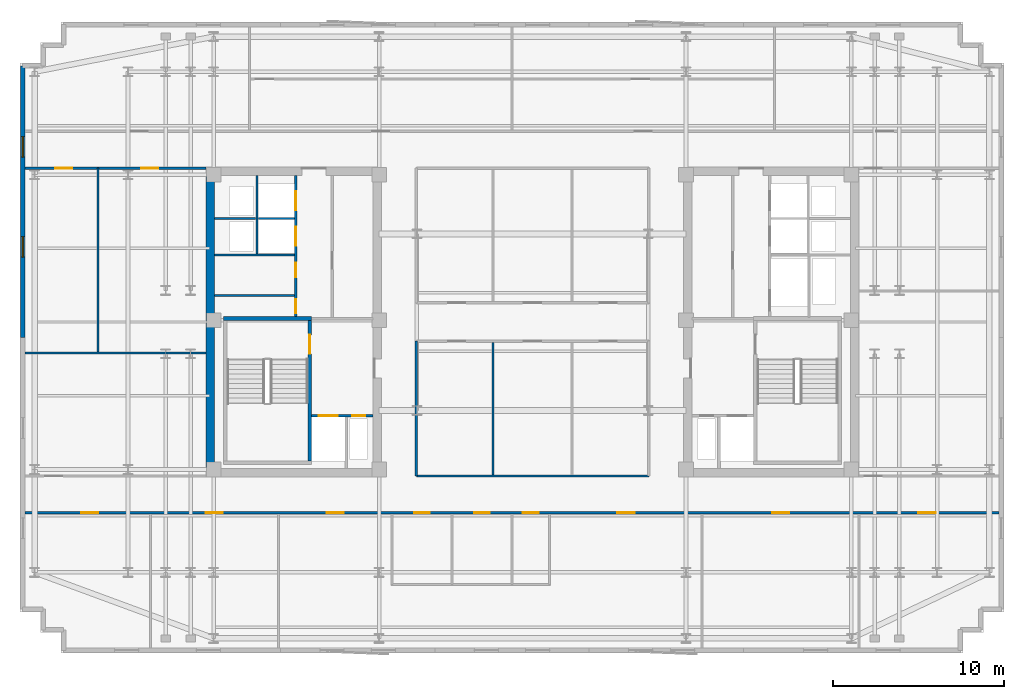
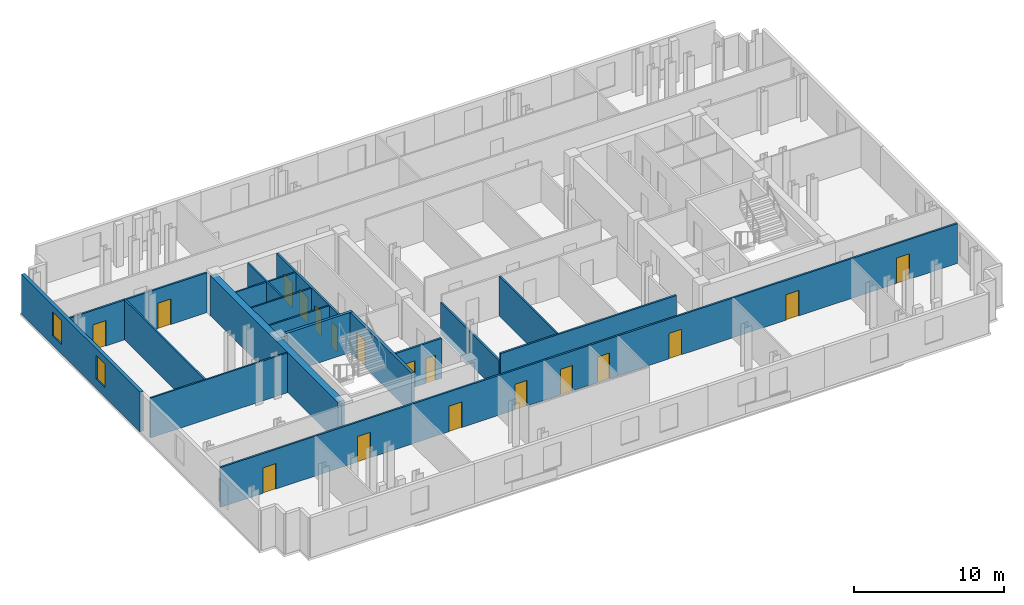
# One storey, part 4 of 9: 18 doors, 18 walls, 2 windows, 20 openings.
"""IFC4 building model written with IfcOpenShell, lengths in metres."""

from ifc_helpers import new_model, si_unit, direction, frame, frame_2d, origin, place, context, subcontext, project, spatial, rectangle, extrude, material, layer, layer_set, type_object, element, fill, save


model = new_model("IFC4")

# Units and contexts
model_context = context("Model", 3, precision=1e-05, world=origin(), true_north=direction((0.0, 1.0)))
body_context = subcontext(model_context, "Body", "Model", "MODEL_VIEW")
ifc_project = project(units=[si_unit("LENGTHUNIT", "METRE"), si_unit("AREAUNIT", "SQUARE_METRE"), si_unit("VOLUMEUNIT", "CUBIC_METRE"), si_unit("PLANEANGLEUNIT", "RADIAN"), si_unit("MASSUNIT", "GRAM", prefix="KILO")], contexts=[model_context])

# Site, building, storey
site_placement = place(None, origin())
site = spatial("IfcSite", under=ifc_project, at=site_placement, CompositionType="ELEMENT")
building_placement = place(site_placement, origin())
building = spatial("IfcBuilding", under=site, at=building_placement, Name="Velakula Bourse", CompositionType="ELEMENT")
storey_placement = place(building_placement, frame((0.0, 0.0, 232.64990234375)))
storey = spatial("IfcBuildingStorey", under=building, at=storey_placement, Name="L63", CompositionType="ELEMENT", Elevation=232.64990234375)

# Wall, opening, door
ifc_material_1 = material(Name="Concrete M50 (fck 50 MPa)", Category="concrete")
ifc_layer_1 = layer(ifc_material_1, 0.2099609375, Name="Concrete M50 (fck 50 MPa)", Category="concrete")
ifc_layer_set_1 = layer_set([ifc_layer_1], Name="Concrete M50 (fck 50 MPa)")
wall_type_1 = type_object("IfcWallType", Name="WL-CORE-210", PredefinedType="SHEAR", material=ifc_layer_set_1)
wall_1_placement = place(storey_placement, frame((-12.9951171875, -8.10009765625, 0.0), z_axis=(0.0, 0.0, 1.0), x_axis=(0.0, 1.0, 0.0)))
wall_1 = element("IfcWall", 1, at=wall_1_placement, inside=storey, type_object=wall_type_1, Name="L63 Core W Stairwell Shear Wall IN", PredefinedType="SHEAR", context=body_context, shape_type="SweptSolid", body=[
    extrude(rectangle(XDim=8.2001953125, YDim=0.2099609375, at=frame_2d((4.10009765625, 0.0))), origin(), (0.0, 0.0, 1.0), 3.27001953125),
])
opening_1_placement = place(wall_1_placement, frame((6.25, 0.0, 0.0)))
opening_1 = element("IfcOpeningElement", 2, at=opening_1_placement, cuts=wall_1, Name="Opening D-STW1", PredefinedType="OPENING", context=body_context, shape_type="SweptSolid", body=[
    extrude(rectangle(XDim=1.10009765625, YDim=2.14990234375, at=frame_2d((0.550048828125, 1.074951171875))), frame((0.0, 0.114990234375, 0.0), z_axis=(0.0, -1.0, 0.0), x_axis=(1.0, 0.0, 0.0)), (0.0, 0.0, 1.0), 0.22998046875),
])
ifc_material_2 = material(Name="Galvanised painted hollow steel fire door", Category="steel")
door_type_1 = type_object("IfcDoorType", Name="DR-FD120-1100x2150", OperationType="NOTDEFINED", PredefinedType="DOOR", material=ifc_material_2)
door_1_placement = place(opening_1_placement, origin())
door_1 = element("IfcDoor", 3, at=door_1_placement, inside=storey, type_object=door_type_1, Name="L63 Stair ST-W1 Fire Door", OperationType="SINGLE_SWING_LEFT", OverallHeight=2.14990234375, OverallWidth=1.10009765625, PredefinedType="DOOR", context=body_context, shape_type="SweptSolid", body=[
    extrude(rectangle(XDim=1.10009765625, YDim=2.14990234375, at=frame_2d((0.550048828125, 1.074951171875))), frame((0.0, 0.02490234375, 0.0), z_axis=(0.0, -1.0, 0.0), x_axis=(1.0, 0.0, 0.0)), (0.0, 0.0, 1.0), 0.050048828125),
])
fill(opening_1, door_1)

# Walls
wall_2_placement = place(storey_placement, frame((-12.889892578125, 0.205078125, 0.0), z_axis=(0.0, 0.0, 1.0), x_axis=(-1.0, 0.0, 0.0)))
element("IfcWall", 4, at=wall_2_placement, inside=storey, type_object=wall_type_1, Name="L63 Core W Stairwell Shear Wall N", PredefinedType="SHEAR", context=body_context, shape_type="SweptSolid", body=[
    extrude(rectangle(XDim=5.14013671875, YDim=0.2099609375, at=frame_2d((2.570068359375, 0.0))), origin(), (0.0, 0.0, 1.0), 3.27001953125),
])
ifc_layer_2 = layer(ifc_material_1, 0.5, Name="Concrete M50 (fck 50 MPa)", Category="concrete")
ifc_layer_set_2 = layer_set([ifc_layer_2], Name="Concrete M50 (fck 50 MPa)")
wall_type_2 = type_object("IfcWallType", Name="WL-CORE-500", PredefinedType="SHEAR", material=ifc_layer_set_2)
wall_3_placement = place(storey_placement, frame((-18.800048828125, -8.550048828125, 0.0), z_axis=(0.0, 0.0, 1.0), x_axis=(0.0, 1.0, 0.0)))
element("IfcWall", 5, at=wall_3_placement, inside=storey, type_object=wall_type_2, Name="L63 Core W Shear Wall W", PredefinedType="SHEAR", context=body_context, shape_type="SweptSolid", body=[
    extrude(rectangle(XDim=17.10009765625, YDim=0.5, at=frame_2d((8.550048828125, 0.0))), origin(), (0.0, 0.0, 1.0), 3.27001953125),
])

# Wall, openings, windows
ifc_material_3 = material(Name="Buff kilned clay facing brick masonry", Category="masonry")
ifc_layer_3 = layer(ifc_material_3, 0.260009765625, Name="Buff kilned clay facing brick masonry", Category="masonry")
ifc_layer_set_3 = layer_set([ifc_layer_3], Name="Buff kilned clay facing brick masonry")
wall_type_3 = type_object("IfcWallType", Name="WL-EXT-BRK-260", PredefinedType="STANDARD", material=ifc_layer_set_3)
wall_4_placement = place(storey_placement, frame((-29.75, -0.89990234375, 0.0), z_axis=(0.0, 0.0, 1.0), x_axis=(0.0, 1.0, 0.0)))
wall_4 = element("IfcWall", 6, at=wall_4_placement, inside=storey, type_object=wall_type_3, Name="L63 W Brick End Wall W2", PredefinedType="STANDARD", context=body_context, shape_type="SweptSolid", body=[
    extrude(rectangle(XDim=15.849853515625, YDim=0.260009765625, at=frame_2d((7.9248046875, 0.0))), origin(), (0.0, 0.0, 1.0), 3.25),
])
opening_2_placement = place(wall_4_placement, frame((4.683349609375, 0.0, 0.760009765625)))
opening_2 = element("IfcOpeningElement", 7, at=opening_2_placement, cuts=wall_4, Name="Opening W-04", PredefinedType="OPENING", context=body_context, shape_type="SweptSolid", body=[
    extrude(rectangle(XDim=1.199951171875, YDim=1.949951171875, at=frame_2d((0.60009765625, 0.97509765625))), frame((0.0, 0.139892578125, 0.0), z_axis=(0.0, -1.0, 0.0), x_axis=(1.0, 0.0, 0.0)), (0.0, 0.0, 1.0), 0.280029296875),
])
opening_3_placement = place(wall_4_placement, frame((10.5166015625, 0.0, 0.760009765625)))
opening_3 = element("IfcOpeningElement", 8, at=opening_3_placement, cuts=wall_4, Name="Opening W-04", PredefinedType="OPENING", context=body_context, shape_type="SweptSolid", body=[
    extrude(rectangle(XDim=1.199951171875, YDim=1.949951171875, at=frame_2d((0.60009765625, 0.97509765625))), frame((0.0, 0.139892578125, 0.0), z_axis=(0.0, -1.0, 0.0), x_axis=(1.0, 0.0, 0.0)), (0.0, 0.0, 1.0), 0.280029296875),
])
ifc_material_4 = material(Name="Double-glazed solar-control Low-E glass", Category="glass")
window_type = type_object("IfcWindowType", Name="WIN-TWR-1200x2100", PartitioningType="SINGLE_PANEL", PredefinedType="WINDOW", material=ifc_material_4)
window_1_placement = place(opening_2_placement, origin())
window_1 = element("IfcWindow", 9, at=window_1_placement, inside=storey, type_object=window_type, Name="L63 Deep-Set Recessed Window 1", OverallHeight=1.949951171875, OverallWidth=1.199951171875, PartitioningType="SINGLE_PANEL", PredefinedType="WINDOW", context=body_context, shape_type="SweptSolid", body=[
    extrude(rectangle(XDim=1.199951171875, YDim=1.949951171875, at=frame_2d((0.60009765625, 0.97509765625))), frame((0.0, 0.030029296875, 0.0), z_axis=(0.0, -1.0, 0.0), x_axis=(1.0, 0.0, 0.0)), (0.0, 0.0, 1.0), 0.06005859375),
])
fill(opening_2, window_1)
window_2_placement = place(opening_3_placement, origin())
window_2 = element("IfcWindow", 10, at=window_2_placement, inside=storey, type_object=window_type, Name="L63 Deep-Set Recessed Window 2", OverallHeight=1.949951171875, OverallWidth=1.199951171875, PartitioningType="SINGLE_PANEL", PredefinedType="WINDOW", context=body_context, shape_type="SweptSolid", body=[
    extrude(rectangle(XDim=1.199951171875, YDim=1.949951171875, at=frame_2d((0.60009765625, 0.97509765625))), frame((0.0, 0.030029296875, 0.0), z_axis=(0.0, -1.0, 0.0), x_axis=(1.0, 0.0, 0.0)), (0.0, 0.0, 1.0), 0.06005859375),
])
fill(opening_3, window_2)

# Walls
ifc_material_5 = material(Name="Fire-rated double-layer gypsum drywall partition", Category="gypsum")
ifc_layer_4 = layer(ifc_material_5, 0.1201171875, Name="Fire-rated double-layer gypsum drywall partition", Category="gypsum")
ifc_layer_set_4 = layer_set([ifc_layer_4], Name="Fire-rated double-layer gypsum drywall partition")
wall_type_4 = type_object("IfcWallType", Name="WL-PART-120", PredefinedType="STANDARD", material=ifc_layer_set_4)
wall_5_placement = place(storey_placement, frame((-18.550048828125, 3.919921875, 0.0), z_axis=(0.0, 0.0, 1.0), x_axis=(1.0, 0.0, 0.0)))
element("IfcWall", 11, at=wall_5_placement, inside=storey, type_object=wall_type_4, Name="L63 Interior Partition WL-CRW-L63-HI-S", PredefinedType="STANDARD", context=body_context, shape_type="SweptSolid", body=[
    extrude(rectangle(XDim=4.650146484375, YDim=0.1201171875, at=frame_2d((2.3251953125, 0.0))), origin(), (0.0, 0.0, 1.0), 3.25),
])
wall_6_placement = place(storey_placement, frame((-18.550048828125, 6.030029296875, 0.0), z_axis=(0.0, 0.0, 1.0), x_axis=(1.0, 0.0, 0.0)))
element("IfcWall", 12, at=wall_6_placement, inside=storey, type_object=wall_type_4, Name="L63 Interior Partition WL-CRW-L63-RIS-MID", PredefinedType="STANDARD", context=body_context, shape_type="SweptSolid", body=[
    extrude(rectangle(XDim=2.400146484375, YDim=0.1201171875, at=frame_2d((1.2001953125, 0.0))), origin(), (0.0, 0.0, 1.0), 3.25),
])
wall_7_placement = place(storey_placement, frame((-16.074951171875, 3.97998046875, 0.0), z_axis=(0.0, 0.0, 1.0), x_axis=(0.0, 1.0, 0.0)))
element("IfcWall", 13, at=wall_7_placement, inside=storey, type_object=wall_type_4, Name="L63 Interior Partition WL-CRW-L63-RIS-F", PredefinedType="STANDARD", context=body_context, shape_type="SweptSolid", body=[
    extrude(rectangle(XDim=4.570068359375, YDim=0.1201171875, at=frame_2d((2.28515625, 0.0))), origin(), (0.0, 0.0, 1.0), 3.25),
])
wall_8_placement = place(storey_placement, frame((-16.0, 6.030029296875, 0.0), z_axis=(0.0, 0.0, 1.0), x_axis=(1.0, 0.0, 0.0)))
element("IfcWall", 14, at=wall_8_placement, inside=storey, type_object=wall_type_4, Name="L63 Interior Partition WL-CRW-L63-HI-DIV", PredefinedType="STANDARD", context=body_context, shape_type="SweptSolid", body=[
    extrude(rectangle(XDim=2.10009765625, YDim=0.1201171875, at=frame_2d((1.050048828125, 0.0))), origin(), (0.0, 0.0, 1.0), 3.25),
])
wall_9_placement = place(storey_placement, frame((-18.550048828125, 1.550048828125, 0.0), z_axis=(0.0, 0.0, 1.0), x_axis=(1.0, 0.0, 0.0)))
element("IfcWall", 15, at=wall_9_placement, inside=storey, type_object=wall_type_4, Name="L63 Interior Partition WL-CRW-L63-K1", PredefinedType="STANDARD", context=body_context, shape_type="SweptSolid", body=[
    extrude(rectangle(XDim=4.650146484375, YDim=0.1201171875, at=frame_2d((2.3251953125, 0.0))), origin(), (0.0, 0.0, 1.0), 3.25),
])
wall_10_placement = place(storey_placement, frame((-29.6201171875, -1.800048828125, 0.0), z_axis=(0.0, 0.0, 1.0), x_axis=(1.0, 0.0, 0.0)))
element("IfcWall", 16, at=wall_10_placement, inside=storey, type_object=wall_type_4, Name="L63 Interior Partition WL-INT-L63-W-H", PredefinedType="STANDARD", context=body_context, shape_type="SweptSolid", body=[
    extrude(rectangle(XDim=10.570068359375, YDim=0.1201171875, at=frame_2d((5.28515625, 0.0))), origin(), (0.0, 0.0, 1.0), 3.25),
])
wall_11_placement = place(storey_placement, frame((-25.35498046875, -1.739990234375, 0.0), z_axis=(0.0, 0.0, 1.0), x_axis=(0.0, 1.0, 0.0)))
element("IfcWall", 17, at=wall_11_placement, inside=storey, type_object=wall_type_4, Name="L63 Interior Partition WL-INT-L63-W-VN", PredefinedType="STANDARD", context=body_context, shape_type="SweptSolid", body=[
    extrude(rectangle(XDim=10.719970703125, YDim=0.1201171875, at=frame_2d((5.35986328125, 0.0))), origin(), (0.0, 0.0, 1.0), 3.25),
])

# Wall, openings, doors
ifc_layer_5 = layer(ifc_material_5, 0.139892578125, Name="Fire-rated double-layer gypsum drywall partition", Category="gypsum")
ifc_layer_set_5 = layer_set([ifc_layer_5], Name="Fire-rated double-layer gypsum drywall partition")
wall_type_5 = type_object("IfcWallType", Name="WL-PART-140", PredefinedType="STANDARD", material=ifc_layer_set_5)
wall_12_placement = place(storey_placement, frame((-29.6201171875, -11.1201171875, 0.0), z_axis=(0.0, 0.0, 1.0), x_axis=(1.0, 0.0, 0.0)))
wall_12 = element("IfcWall", 18, at=wall_12_placement, inside=storey, type_object=wall_type_5, Name="L63 Interior Partition WL-INT-L63-S-CORR", PredefinedType="STANDARD", context=body_context, shape_type="SweptSolid", body=[
    extrude(rectangle(XDim=56.840087890625, YDim=0.139892578125, at=frame_2d((28.419921875, 0.0))), origin(), (0.0, 0.0, 1.0), 3.25),
])
opening_4_placement = place(wall_12_placement, frame((22.7099609375, 0.0, 0.0)))
opening_4 = element("IfcOpeningElement", 19, at=opening_4_placement, cuts=wall_12, Name="Opening D-WT1", PredefinedType="OPENING", context=body_context, shape_type="SweptSolid", body=[
    extrude(rectangle(XDim=0.919921875, YDim=2.080078125, at=frame_2d((0.4599609375, 1.0400390625))), frame((0.0, 0.079833984375, 0.0), z_axis=(0.0, -1.0, 0.0), x_axis=(1.0, 0.0, 0.0)), (0.0, 0.0, 1.0), 0.159912109375),
])
opening_5_placement = place(wall_12_placement, frame((26.2099609375, 0.0, 0.0)))
opening_5 = element("IfcOpeningElement", 20, at=opening_5_placement, cuts=wall_12, Name="Opening D-WT1", PredefinedType="OPENING", context=body_context, shape_type="SweptSolid", body=[
    extrude(rectangle(XDim=0.919921875, YDim=2.080078125, at=frame_2d((0.4599609375, 1.0400390625))), frame((0.0, 0.079833984375, 0.0), z_axis=(0.0, -1.0, 0.0), x_axis=(1.0, 0.0, 0.0)), (0.0, 0.0, 1.0), 0.159912109375),
])
opening_6_placement = place(wall_12_placement, frame((29.06005859375, 0.0, 0.0)))
opening_6 = element("IfcOpeningElement", 21, at=opening_6_placement, cuts=wall_12, Name="Opening D-WC1", PredefinedType="OPENING", context=body_context, shape_type="SweptSolid", body=[
    extrude(rectangle(XDim=0.919921875, YDim=2.080078125, at=frame_2d((0.4599609375, 1.0400390625))), frame((0.0, 0.079833984375, 0.0), z_axis=(0.0, -1.0, 0.0), x_axis=(1.0, 0.0, 0.0)), (0.0, 0.0, 1.0), 0.159912109375),
])
opening_7_placement = place(wall_12_placement, frame((3.287109375, 0.0, 0.0)))
opening_7 = element("IfcOpeningElement", 22, at=opening_7_placement, cuts=wall_12, Name="Opening D-OF1", PredefinedType="OPENING", context=body_context, shape_type="SweptSolid", body=[
    extrude(rectangle(XDim=1.0, YDim=2.080078125, at=frame_2d((0.5, 1.0400390625))), frame((0.0, 0.079833984375, 0.0), z_axis=(0.0, -1.0, 0.0), x_axis=(1.0, 0.0, 0.0)), (0.0, 0.0, 1.0), 0.159912109375),
])
opening_8_placement = place(wall_12_placement, frame((10.56005859375, 0.0, 0.0)))
opening_8 = element("IfcOpeningElement", 23, at=opening_8_placement, cuts=wall_12, Name="Opening D-OF1", PredefinedType="OPENING", context=body_context, shape_type="SweptSolid", body=[
    extrude(rectangle(XDim=1.0, YDim=2.080078125, at=frame_2d((0.5, 1.0400390625))), frame((0.0, 0.079833984375, 0.0), z_axis=(0.0, -1.0, 0.0), x_axis=(1.0, 0.0, 0.0)), (0.0, 0.0, 1.0), 0.159912109375),
])
opening_9_placement = place(wall_12_placement, frame((17.60888671875, 0.0, 0.0)))
opening_9 = element("IfcOpeningElement", 24, at=opening_9_placement, cuts=wall_12, Name="Opening D-OF1", PredefinedType="OPENING", context=body_context, shape_type="SweptSolid", body=[
    extrude(rectangle(XDim=1.0, YDim=2.080078125, at=frame_2d((0.5, 1.0400390625))), frame((0.0, 0.079833984375, 0.0), z_axis=(0.0, -1.0, 0.0), x_axis=(1.0, 0.0, 0.0)), (0.0, 0.0, 1.0), 0.159912109375),
])
opening_10_placement = place(wall_12_placement, frame((34.56689453125, 0.0, 0.0)))
opening_10 = element("IfcOpeningElement", 25, at=opening_10_placement, cuts=wall_12, Name="Opening D-OF1", PredefinedType="OPENING", context=body_context, shape_type="SweptSolid", body=[
    extrude(rectangle(XDim=1.0, YDim=2.080078125, at=frame_2d((0.5, 1.0400390625))), frame((0.0, 0.079833984375, 0.0), z_axis=(0.0, -1.0, 0.0), x_axis=(1.0, 0.0, 0.0)), (0.0, 0.0, 1.0), 0.159912109375),
])
opening_11_placement = place(wall_12_placement, frame((43.592041015625, 0.0, 0.0)))
opening_11 = element("IfcOpeningElement", 26, at=opening_11_placement, cuts=wall_12, Name="Opening D-OF1", PredefinedType="OPENING", context=body_context, shape_type="SweptSolid", body=[
    extrude(rectangle(XDim=1.0, YDim=2.080078125, at=frame_2d((0.5, 1.0400390625))), frame((0.0, 0.079833984375, 0.0), z_axis=(0.0, -1.0, 0.0), x_axis=(1.0, 0.0, 0.0)), (0.0, 0.0, 1.0), 0.159912109375),
])
opening_12_placement = place(wall_12_placement, frame((52.12890625, 0.0, 0.0)))
opening_12 = element("IfcOpeningElement", 27, at=opening_12_placement, cuts=wall_12, Name="Opening D-OF1", PredefinedType="OPENING", context=body_context, shape_type="SweptSolid", body=[
    extrude(rectangle(XDim=1.0, YDim=2.080078125, at=frame_2d((0.5, 1.0400390625))), frame((0.0, 0.079833984375, 0.0), z_axis=(0.0, -1.0, 0.0), x_axis=(1.0, 0.0, 0.0)), (0.0, 0.0, 1.0), 0.159912109375),
])
ifc_material_6 = material(Name="Fire-rated hardwood flush architectural door", Category="wood")
door_type_2 = type_object("IfcDoorType", Name="DR-OFF-1000", OperationType="NOTDEFINED", PredefinedType="DOOR", material=ifc_material_6)
door_2_placement = place(opening_7_placement, origin())
door_2 = element("IfcDoor", 28, at=door_2_placement, inside=storey, type_object=door_type_2, Name="L63 Quiet Financial Library Door", OperationType="SINGLE_SWING_RIGHT", OverallHeight=2.080078125, OverallWidth=1.0, PredefinedType="DOOR", context=body_context, shape_type="SweptSolid", body=[
    extrude(rectangle(XDim=1.0, YDim=2.080078125, at=frame_2d((0.5, 1.0400390625))), frame((0.0, 0.02490234375, 0.0), z_axis=(0.0, -1.0, 0.0), x_axis=(1.0, 0.0, 0.0)), (0.0, 0.0, 1.0), 0.050048828125),
])
fill(opening_7, door_2)
door_3_placement = place(opening_8_placement, origin())
door_3 = element("IfcDoor", 29, at=door_3_placement, inside=storey, type_object=door_type_2, Name="L63 Bullion Assay Office Door", OperationType="SINGLE_SWING_LEFT", OverallHeight=2.080078125, OverallWidth=1.0, PredefinedType="DOOR", context=body_context, shape_type="SweptSolid", body=[
    extrude(rectangle(XDim=1.0, YDim=2.080078125, at=frame_2d((0.5, 1.0400390625))), frame((0.0, 0.02490234375, 0.0), z_axis=(0.0, -1.0, 0.0), x_axis=(1.0, 0.0, 0.0)), (0.0, 0.0, 1.0), 0.050048828125),
])
fill(opening_8, door_3)
door_4_placement = place(opening_9_placement, origin())
door_4 = element("IfcDoor", 30, at=door_4_placement, inside=storey, type_object=door_type_2, Name="L63 Executive Boardroom Door", OperationType="SINGLE_SWING_RIGHT", OverallHeight=2.080078125, OverallWidth=1.0, PredefinedType="DOOR", context=body_context, shape_type="SweptSolid", body=[
    extrude(rectangle(XDim=1.0, YDim=2.080078125, at=frame_2d((0.5, 1.0400390625))), frame((0.0, 0.02490234375, 0.0), z_axis=(0.0, -1.0, 0.0), x_axis=(1.0, 0.0, 0.0)), (0.0, 0.0, 1.0), 0.050048828125),
])
fill(opening_9, door_4)
door_5_placement = place(opening_10_placement, origin())
door_5 = element("IfcDoor", 31, at=door_5_placement, inside=storey, type_object=door_type_2, Name="L63 Catering Servery Pantry Door", OperationType="SINGLE_SWING_LEFT", OverallHeight=2.080078125, OverallWidth=1.0, PredefinedType="DOOR", context=body_context, shape_type="SweptSolid", body=[
    extrude(rectangle(XDim=1.0, YDim=2.080078125, at=frame_2d((0.5, 1.0400390625))), frame((0.0, 0.02490234375, 0.0), z_axis=(0.0, -1.0, 0.0), x_axis=(1.0, 0.0, 0.0)), (0.0, 0.0, 1.0), 0.050048828125),
])
fill(opening_10, door_5)
door_6_placement = place(opening_11_placement, origin())
door_6 = element("IfcDoor", 32, at=door_6_placement, inside=storey, type_object=door_type_2, Name="L63 Quantitative Research Workspace Door", OperationType="SINGLE_SWING_RIGHT", OverallHeight=2.080078125, OverallWidth=1.0, PredefinedType="DOOR", context=body_context, shape_type="SweptSolid", body=[
    extrude(rectangle(XDim=1.0, YDim=2.080078125, at=frame_2d((0.5, 1.0400390625))), frame((0.0, 0.02490234375, 0.0), z_axis=(0.0, -1.0, 0.0), x_axis=(1.0, 0.0, 0.0)), (0.0, 0.0, 1.0), 0.050048828125),
])
fill(opening_11, door_6)
door_7_placement = place(opening_12_placement, origin())
door_7 = element("IfcDoor", 33, at=door_7_placement, inside=storey, type_object=door_type_2, Name="L63 Legal Counsel Office Door", OperationType="SINGLE_SWING_LEFT", OverallHeight=2.080078125, OverallWidth=1.0, PredefinedType="DOOR", context=body_context, shape_type="SweptSolid", body=[
    extrude(rectangle(XDim=1.0, YDim=2.080078125, at=frame_2d((0.5, 1.0400390625))), frame((0.0, 0.02490234375, 0.0), z_axis=(0.0, -1.0, 0.0), x_axis=(1.0, 0.0, 0.0)), (0.0, 0.0, 1.0), 0.050048828125),
])
fill(opening_12, door_7)
door_type_3 = type_object("IfcDoorType", Name="DR-WC-950", OperationType="NOTDEFINED", PredefinedType="DOOR", material=ifc_material_6)
door_8_placement = place(opening_4_placement, origin())
door_8 = element("IfcDoor", 34, at=door_8_placement, inside=storey, type_object=door_type_3, Name="L63 Male Staff Toilet Door", OperationType="SINGLE_SWING_LEFT", OverallHeight=2.080078125, OverallWidth=0.919921875, PredefinedType="DOOR", context=body_context, shape_type="SweptSolid", body=[
    extrude(rectangle(XDim=0.919921875, YDim=2.080078125, at=frame_2d((0.4599609375, 1.0400390625))), frame((0.0, 0.02490234375, 0.0), z_axis=(0.0, -1.0, 0.0), x_axis=(1.0, 0.0, 0.0)), (0.0, 0.0, 1.0), 0.050048828125),
])
fill(opening_4, door_8)
door_9_placement = place(opening_5_placement, origin())
door_9 = element("IfcDoor", 35, at=door_9_placement, inside=storey, type_object=door_type_3, Name="L63 Female Staff Toilet Door", OperationType="SINGLE_SWING_RIGHT", OverallHeight=2.080078125, OverallWidth=0.919921875, PredefinedType="DOOR", context=body_context, shape_type="SweptSolid", body=[
    extrude(rectangle(XDim=0.919921875, YDim=2.080078125, at=frame_2d((0.4599609375, 1.0400390625))), frame((0.0, 0.02490234375, 0.0), z_axis=(0.0, -1.0, 0.0), x_axis=(1.0, 0.0, 0.0)), (0.0, 0.0, 1.0), 0.050048828125),
])
fill(opening_5, door_9)
door_10_placement = place(opening_6_placement, origin())
door_10 = element("IfcDoor", 36, at=door_10_placement, inside=storey, type_object=door_type_3, Name="L63 Accessible WC Door", OperationType="SINGLE_SWING_LEFT", OverallHeight=2.080078125, OverallWidth=0.919921875, PredefinedType="DOOR", context=body_context, shape_type="SweptSolid", body=[
    extrude(rectangle(XDim=0.919921875, YDim=2.080078125, at=frame_2d((0.4599609375, 1.0400390625))), frame((0.0, 0.02490234375, 0.0), z_axis=(0.0, -1.0, 0.0), x_axis=(1.0, 0.0, 0.0)), (0.0, 0.0, 1.0), 0.050048828125),
])
fill(opening_6, door_10)

wall_13_placement = place(storey_placement, frame((-29.6201171875, 8.97998046875, 0.0), z_axis=(0.0, 0.0, 1.0), x_axis=(1.0, 0.0, 0.0)))
wall_13 = element("IfcWall", 37, at=wall_13_placement, inside=storey, type_object=wall_type_5, Name="L63 Interior Partition WL-INT-L63-W-NC", PredefinedType="STANDARD", context=body_context, shape_type="SweptSolid", body=[
    extrude(rectangle(XDim=10.570068359375, YDim=0.139892578125, at=frame_2d((5.28515625, 0.0))), origin(), (0.0, 0.0, 1.0), 3.25),
])
opening_13_placement = place(wall_13_placement, frame((1.762451171875, 0.0, 0.0)))
opening_13 = element("IfcOpeningElement", 38, at=opening_13_placement, cuts=wall_13, Name="Opening D-OF1", PredefinedType="OPENING", context=body_context, shape_type="SweptSolid", body=[
    extrude(rectangle(XDim=1.0, YDim=2.080078125, at=frame_2d((0.5, 1.0400390625))), frame((0.0, 0.079833984375, 0.0), z_axis=(0.0, -1.0, 0.0), x_axis=(1.0, 0.0, 0.0)), (0.0, 0.0, 1.0), 0.159912109375),
])
opening_14_placement = place(wall_13_placement, frame((6.78759765625, 0.0, 0.0)))
opening_14 = element("IfcOpeningElement", 39, at=opening_14_placement, cuts=wall_13, Name="Opening D-OF1", PredefinedType="OPENING", context=body_context, shape_type="SweptSolid", body=[
    extrude(rectangle(XDim=1.0, YDim=2.080078125, at=frame_2d((0.5, 1.0400390625))), frame((0.0, 0.079833984375, 0.0), z_axis=(0.0, -1.0, 0.0), x_axis=(1.0, 0.0, 0.0)), (0.0, 0.0, 1.0), 0.159912109375),
])
door_11_placement = place(opening_13_placement, origin())
door_11 = element("IfcDoor", 40, at=door_11_placement, inside=storey, type_object=door_type_2, Name="L63 Legal Counsel Office Door", OperationType="SINGLE_SWING_RIGHT", OverallHeight=2.080078125, OverallWidth=1.0, PredefinedType="DOOR", context=body_context, shape_type="SweptSolid", body=[
    extrude(rectangle(XDim=1.0, YDim=2.080078125, at=frame_2d((0.5, 1.0400390625))), frame((0.0, 0.02490234375, 0.0), z_axis=(0.0, -1.0, 0.0), x_axis=(1.0, 0.0, 0.0)), (0.0, 0.0, 1.0), 0.050048828125),
])
fill(opening_13, door_11)
door_12_placement = place(opening_14_placement, origin())
door_12 = element("IfcDoor", 41, at=door_12_placement, inside=storey, type_object=door_type_2, Name="L63 Yield Curve Seminar Room Door", OperationType="SINGLE_SWING_LEFT", OverallHeight=2.080078125, OverallWidth=1.0, PredefinedType="DOOR", context=body_context, shape_type="SweptSolid", body=[
    extrude(rectangle(XDim=1.0, YDim=2.080078125, at=frame_2d((0.5, 1.0400390625))), frame((0.0, 0.02490234375, 0.0), z_axis=(0.0, -1.0, 0.0), x_axis=(1.0, 0.0, 0.0)), (0.0, 0.0, 1.0), 0.050048828125),
])
fill(opening_14, door_12)

# Walls
wall_14_placement = place(storey_placement, frame((-6.780029296875, -8.97998046875, 0.0), z_axis=(0.0, 0.0, 1.0), x_axis=(1.0, 0.0, 0.0)))
element("IfcWall", 42, at=wall_14_placement, inside=storey, type_object=wall_type_5, Name="L63 Interior Partition WL-INT-L63-MS-OUT", PredefinedType="STANDARD", context=body_context, shape_type="SweptSolid", body=[
    extrude(rectangle(XDim=13.56005859375, YDim=0.139892578125, at=frame_2d((6.780029296875, 0.0))), origin(), (0.0, 0.0, 1.0), 3.25),
])
wall_15_placement = place(storey_placement, frame((-6.780029296875, -8.97998046875, 0.0), z_axis=(0.0, 0.0, 1.0), x_axis=(0.0, 1.0, 0.0)))
element("IfcWall", 43, at=wall_15_placement, inside=storey, type_object=wall_type_5, Name="L63 Interior Partition WL-INT-L63-MS-W", PredefinedType="STANDARD", context=body_context, shape_type="SweptSolid", body=[
    extrude(rectangle(XDim=7.85986328125, YDim=0.139892578125, at=frame_2d((3.929931640625, 0.0))), origin(), (0.0, 0.0, 1.0), 2.64501953125),
])
wall_16_placement = place(storey_placement, frame((-2.300048828125, -8.909912109375, 0.0), z_axis=(0.0, 0.0, 1.0), x_axis=(0.0, 1.0, 0.0)))
element("IfcWall", 44, at=wall_16_placement, inside=storey, type_object=wall_type_5, Name="L63 Interior Partition WL-INT-L63-MS-V1", PredefinedType="STANDARD", context=body_context, shape_type="SweptSolid", body=[
    extrude(rectangle(XDim=7.719970703125, YDim=0.1201171875, at=frame_2d((3.85986328125, 0.0))), origin(), (0.0, 0.0, 1.0), 3.25),
])

# Wall, openings, doors
ifc_material_7 = material(Name="Autoclaved aerated concrete blockwork masonry", Category="masonry")
ifc_layer_6 = layer(ifc_material_7, 0.14990234375, Name="Autoclaved aerated concrete blockwork masonry", Category="masonry")
ifc_layer_set_6 = layer_set([ifc_layer_6], Name="Autoclaved aerated concrete blockwork masonry")
wall_type_6 = type_object("IfcWallType", Name="WL-SHAFT-150", PredefinedType="STANDARD", material=ifc_layer_set_6)
wall_17_placement = place(storey_placement, frame((-12.89501953125, -5.47509765625, 0.0), z_axis=(0.0, 0.0, 1.0), x_axis=(1.0, 0.0, 0.0)))
wall_17 = element("IfcWall", 45, at=wall_17_placement, inside=storey, type_object=wall_type_6, Name="L63 Interior Partition WL-CRW-L63-FFL-N", PredefinedType="STANDARD", context=body_context, shape_type="SweptSolid", body=[
    extrude(rectangle(XDim=3.594970703125, YDim=0.14990234375, at=frame_2d((1.79736328125, 0.0))), origin(), (0.0, 0.0, 1.0), 3.25),
])
opening_15_placement = place(wall_17_placement, frame((0.419921875, 0.0, 0.0)))
opening_15 = element("IfcOpeningElement", 46, at=opening_15_placement, cuts=wall_17, Name="Opening LD-FFL-1", PredefinedType="OPENING", context=body_context, shape_type="SweptSolid", body=[
    extrude(rectangle(XDim=1.10009765625, YDim=2.14990234375, at=frame_2d((0.550048828125, 1.074951171875))), frame((0.0, 0.0849609375, 0.0), z_axis=(0.0, -1.0, 0.0), x_axis=(1.0, 0.0, 0.0)), (0.0, 0.0, 1.0), 0.169921875),
])
opening_16_placement = place(wall_17_placement, frame((2.3701171875, 0.0, 0.0)))
opening_16 = element("IfcOpeningElement", 47, at=opening_16_placement, cuts=wall_17, Name="Opening D-RS1", PredefinedType="OPENING", context=body_context, shape_type="SweptSolid", body=[
    extrude(rectangle(XDim=0.75, YDim=2.050048828125, at=frame_2d((0.375, 1.02490234375))), frame((0.0, 0.0849609375, 0.0), z_axis=(0.0, -1.0, 0.0), x_axis=(1.0, 0.0, 0.0)), (0.0, 0.0, 1.0), 0.169921875),
])
door_type_4 = type_object("IfcDoorType", Name="DR-RISER-800", OperationType="NOTDEFINED", PredefinedType="DOOR", material=ifc_material_2)
door_13_placement = place(opening_16_placement, origin())
door_13 = element("IfcDoor", 48, at=door_13_placement, inside=storey, type_object=door_type_4, Name="L63 Fire Riser Access Door", OperationType="SINGLE_SWING_LEFT", OverallHeight=2.050048828125, OverallWidth=0.75, PredefinedType="DOOR", context=body_context, shape_type="SweptSolid", body=[
    extrude(rectangle(XDim=0.75, YDim=2.050048828125, at=frame_2d((0.375, 1.02490234375))), frame((0.0, 0.02490234375, 0.0), z_axis=(0.0, -1.0, 0.0), x_axis=(1.0, 0.0, 0.0)), (0.0, 0.0, 1.0), 0.050048828125),
])
fill(opening_16, door_13)
ifc_material_8 = material(Name="Brushed grade 316 stainless steel", Category="steel")
door_type_5 = type_object("IfcDoorType", Name="DR-SLIDE-FFL-1100", OperationType="DOUBLE_DOOR_SLIDING", PredefinedType="DOOR", material=ifc_material_8)
door_14_placement = place(opening_15_placement, origin())
door_14 = element("IfcDoor", 49, at=door_14_placement, inside=storey, type_object=door_type_5, Name="L63 Firefighting Lift FFL-1 Sliding Landing Door", OperationType="DOUBLE_DOOR_SLIDING", OverallHeight=2.14990234375, OverallWidth=1.10009765625, PredefinedType="DOOR", context=body_context, shape_type="SweptSolid", body=[
    extrude(rectangle(XDim=1.10009765625, YDim=2.14990234375, at=frame_2d((0.550048828125, 1.074951171875))), frame((0.0, 0.02490234375, 0.0), z_axis=(0.0, -1.0, 0.0), x_axis=(1.0, 0.0, 0.0)), (0.0, 0.0, 1.0), 0.050048828125),
])
fill(opening_15, door_14)

wall_18_placement = place(storey_placement, frame((-13.824951171875, 0.27001953125, 0.0), z_axis=(0.0, 0.0, 1.0), x_axis=(0.0, 1.0, 0.0)))
wall_18 = element("IfcWall", 50, at=wall_18_placement, inside=storey, type_object=wall_type_6, Name="L63 Interior Partition WL-CRW-L63-OUT-F", PredefinedType="STANDARD", context=body_context, shape_type="SweptSolid", body=[
    extrude(rectangle(XDim=8.280029296875, YDim=0.14990234375, at=frame_2d((4.14013671875, 0.0))), origin(), (0.0, 0.0, 1.0), 3.25),
])
opening_17_placement = place(wall_18_placement, frame((4.175048828125, 0.0, 0.0)))
opening_17 = element("IfcOpeningElement", 51, at=opening_17_placement, cuts=wall_18, Name="Opening LD-P9", PredefinedType="OPENING", context=body_context, shape_type="SweptSolid", body=[
    extrude(rectangle(XDim=1.10009765625, YDim=2.10009765625, at=frame_2d((0.550048828125, 1.050048828125))), frame((0.0, 0.0849609375, 0.0), z_axis=(0.0, -1.0, 0.0), x_axis=(1.0, 0.0, 0.0)), (0.0, 0.0, 1.0), 0.169921875),
])
opening_18_placement = place(wall_18_placement, frame((6.2451171875, 0.0, 0.0)))
opening_18 = element("IfcOpeningElement", 52, at=opening_18_placement, cuts=wall_18, Name="Opening LD-P10", PredefinedType="OPENING", context=body_context, shape_type="SweptSolid", body=[
    extrude(rectangle(XDim=1.10009765625, YDim=2.10009765625, at=frame_2d((0.550048828125, 1.050048828125))), frame((0.0, 0.0849609375, 0.0), z_axis=(0.0, -1.0, 0.0), x_axis=(1.0, 0.0, 0.0)), (0.0, 0.0, 1.0), 0.169921875),
])
opening_19_placement = place(wall_18_placement, frame((0.25, 0.0, 0.0)))
opening_19 = element("IfcOpeningElement", 53, at=opening_19_placement, cuts=wall_18, Name="Opening D-CS1", PredefinedType="OPENING", context=body_context, shape_type="SweptSolid", body=[
    extrude(rectangle(XDim=0.800048828125, YDim=2.050048828125, at=frame_2d((0.39990234375, 1.02490234375))), frame((0.0, 0.0849609375, 0.0), z_axis=(0.0, -1.0, 0.0), x_axis=(1.0, 0.0, 0.0)), (0.0, 0.0, 1.0), 0.169921875),
])
opening_20_placement = place(wall_18_placement, frame((2.35009765625, 0.0, 0.0)))
opening_20 = element("IfcOpeningElement", 54, at=opening_20_placement, cuts=wall_18, Name="Opening D-CW1", PredefinedType="OPENING", context=body_context, shape_type="SweptSolid", body=[
    extrude(rectangle(XDim=0.85009765625, YDim=2.050048828125, at=frame_2d((0.425048828125, 1.02490234375))), frame((0.0, 0.0849609375, 0.0), z_axis=(0.0, -1.0, 0.0), x_axis=(1.0, 0.0, 0.0)), (0.0, 0.0, 1.0), 0.169921875),
])
door_type_6 = type_object("IfcDoorType", Name="DR-INT-850", OperationType="NOTDEFINED", PredefinedType="DOOR", material=ifc_material_6)
door_15_placement = place(opening_20_placement, origin())
door_15 = element("IfcDoor", 55, at=door_15_placement, inside=storey, type_object=door_type_6, Name="L63 Core Janitor Closet Door", OperationType="SINGLE_SWING_RIGHT", OverallHeight=2.050048828125, OverallWidth=0.85009765625, PredefinedType="DOOR", context=body_context, shape_type="SweptSolid", body=[
    extrude(rectangle(XDim=0.85009765625, YDim=2.050048828125, at=frame_2d((0.425048828125, 1.02490234375))), frame((0.0, 0.02490234375, 0.0), z_axis=(0.0, -1.0, 0.0), x_axis=(1.0, 0.0, 0.0)), (0.0, 0.0, 1.0), 0.050048828125),
])
fill(opening_20, door_15)
door_type_7 = type_object("IfcDoorType", Name="DR-RISER-800x2050", OperationType="NOTDEFINED", PredefinedType="DOOR", material=ifc_material_2)
door_16_placement = place(opening_19_placement, origin())
door_16 = element("IfcDoor", 56, at=door_16_placement, inside=storey, type_object=door_type_7, Name="L63 Core Cleaner Store Door", OperationType="SINGLE_SWING_LEFT", OverallHeight=2.050048828125, OverallWidth=0.800048828125, PredefinedType="DOOR", context=body_context, shape_type="SweptSolid", body=[
    extrude(rectangle(XDim=0.800048828125, YDim=2.050048828125, at=frame_2d((0.39990234375, 1.02490234375))), frame((0.0, 0.02490234375, 0.0), z_axis=(0.0, -1.0, 0.0), x_axis=(1.0, 0.0, 0.0)), (0.0, 0.0, 1.0), 0.050048828125),
])
fill(opening_19, door_16)
door_type_8 = type_object("IfcDoorType", Name="DR-SLIDE-LD-1100", OperationType="DOUBLE_DOOR_SLIDING", PredefinedType="DOOR", material=ifc_material_8)
door_17_placement = place(opening_17_placement, origin())
door_17 = element("IfcDoor", 57, at=door_17_placement, inside=storey, type_object=door_type_8, Name="L63 Passenger Lift P9 Sliding Landing Door", OperationType="DOUBLE_DOOR_SLIDING", OverallHeight=2.10009765625, OverallWidth=1.10009765625, PredefinedType="DOOR", context=body_context, shape_type="SweptSolid", body=[
    extrude(rectangle(XDim=1.10009765625, YDim=2.10009765625, at=frame_2d((0.550048828125, 1.050048828125))), frame((0.0, 0.02490234375, 0.0), z_axis=(0.0, -1.0, 0.0), x_axis=(1.0, 0.0, 0.0)), (0.0, 0.0, 1.0), 0.050048828125),
])
fill(opening_17, door_17)
door_18_placement = place(opening_18_placement, origin())
door_18 = element("IfcDoor", 58, at=door_18_placement, inside=storey, type_object=door_type_8, Name="L63 Passenger Lift P10 Sliding Landing Door", OperationType="DOUBLE_DOOR_SLIDING", OverallHeight=2.10009765625, OverallWidth=1.10009765625, PredefinedType="DOOR", context=body_context, shape_type="SweptSolid", body=[
    extrude(rectangle(XDim=1.10009765625, YDim=2.10009765625, at=frame_2d((0.550048828125, 1.050048828125))), frame((0.0, 0.02490234375, 0.0), z_axis=(0.0, -1.0, 0.0), x_axis=(1.0, 0.0, 0.0)), (0.0, 0.0, 1.0), 0.050048828125),
])
fill(opening_18, door_18)

save(model, "model.ifc")
